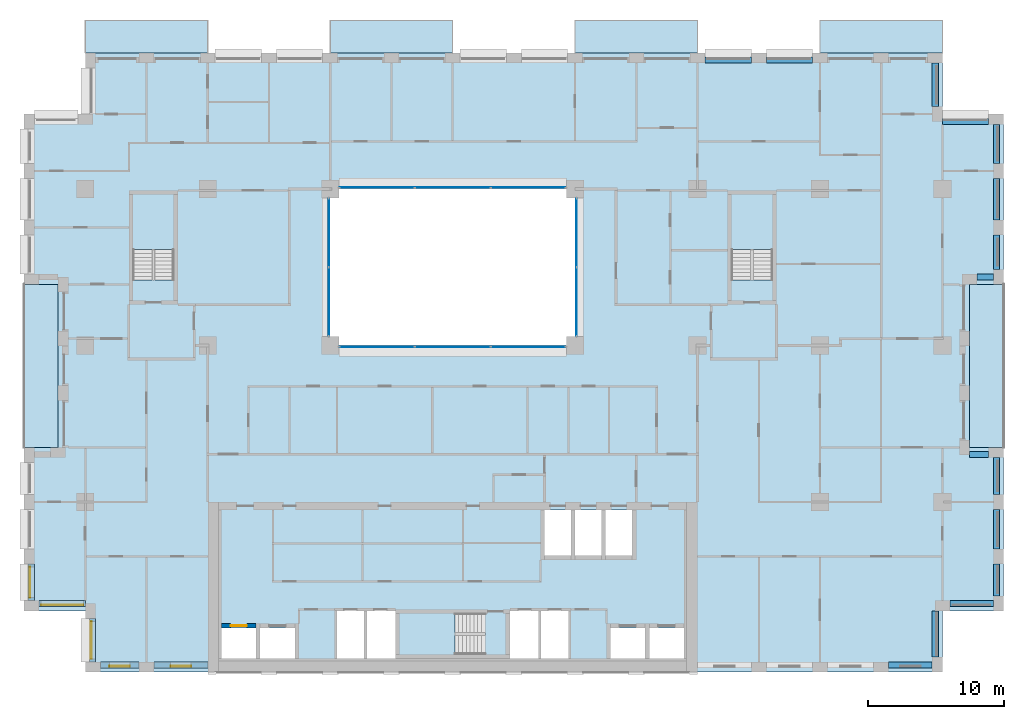
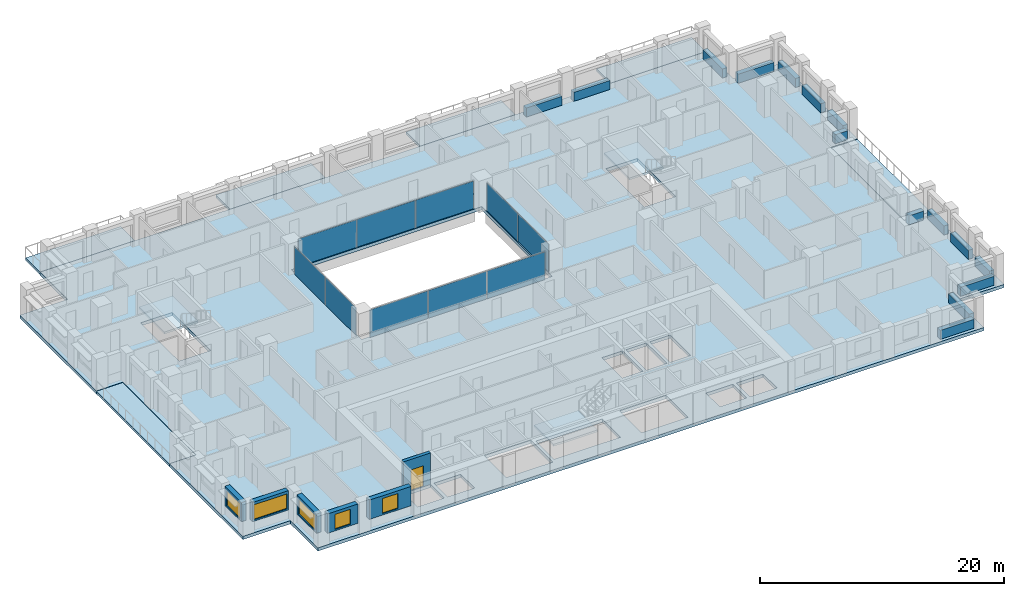
# One storey, part 7 of 16: 15 beams, 10 plates, 10 slabs, 6 walls, 5 windows, 1 door, 6 openings, 7 elements without a shape of their own.
"""IFC4 building model written with IfcOpenShell, lengths in metres."""

from ifc_helpers import new_model, si_unit, direction, frame, frame_2d, origin, origin_2d, place, context, subcontext, project, spatial, polyline, rectangle, outline, extrude, material, layer, layer_set, material_profile, profile_set, type_object, element, fill, aggregate, save


model = new_model("IFC4")

# Units and contexts
model_context = context("Model", 3, precision=1e-05, world=origin(), true_north=direction((0.0, 1.0)))
body_context = subcontext(model_context, "Body", "Model", "MODEL_VIEW")
ifc_project = project(units=[si_unit("LENGTHUNIT", "METRE"), si_unit("AREAUNIT", "SQUARE_METRE"), si_unit("VOLUMEUNIT", "CUBIC_METRE"), si_unit("PLANEANGLEUNIT", "RADIAN"), si_unit("MASSUNIT", "GRAM", prefix="KILO")], contexts=[model_context])

# Site, building, storey
site_placement = place(None, origin())
site = spatial("IfcSite", under=ifc_project, at=site_placement, CompositionType="ELEMENT")
building_placement = place(site_placement, origin())
building = spatial("IfcBuilding", under=site, at=building_placement, Name="Brigalow Station Residences", CompositionType="ELEMENT")
storey_placement = place(building_placement, frame((0.0, 0.0, 124.5)))
storey = spatial("IfcBuildingStorey", under=building, at=storey_placement, Name="L36", CompositionType="ELEMENT", Elevation=124.5)

# Beams
ifc_material_1 = material(Name="Concrete C65", Category="concrete")
ifc_material_profile = material_profile(ifc_material_1, rectangle(XDim=0.449951171875, YDim=0.89990234375, at=origin_2d()), Name="RC450x900")
ifc_profile_set = profile_set([ifc_material_profile], Name="Concrete C65")
beam_type = type_object("IfcBeamType", Name="SPANDREL BEAM 450x900 C65", PredefinedType="SPANDREL", material=ifc_profile_set)
beam_1_placement = place(storey_placement, frame((68.050048828125, 0.52490234375, 0.449951171875), z_axis=(1.0, 0.0, 0.0), x_axis=(0.0, 1.0, 0.0)))
element("IfcBeam", 1, at=beam_1_placement, inside=storey, type_object=beam_type, Name="L36/spandrel/W-L36-7", PredefinedType="SPANDREL", context=body_context, shape_type="SweptSolid", body=[
    extrude(rectangle(XDim=0.449951171875, YDim=0.89990234375, at=origin_2d()), origin(), (0.0, 0.0, 1.0), 3.199951171875),
])
beam_2_placement = place(storey_placement, frame((71.47509765625, 1.10009765625, 0.449951171875), z_axis=(0.0, 1.0, 0.0), x_axis=(-1.0, 0.0, 0.0)))
element("IfcBeam", 2, at=beam_2_placement, inside=storey, type_object=beam_type, Name="L36/spandrel/W-L36-8", PredefinedType="SPANDREL", context=body_context, shape_type="SweptSolid", body=[
    extrude(rectangle(XDim=0.449951171875, YDim=0.89990234375, at=origin_2d()), origin(), (0.0, 0.0, 1.0), 3.39990234375),
])
beam_3_placement = place(storey_placement, frame((72.550048828125, 5.02490234375, 0.449951171875), z_axis=(1.0, 0.0, 0.0), x_axis=(0.0, 1.0, 0.0)))
element("IfcBeam", 3, at=beam_3_placement, inside=storey, type_object=beam_type, Name="L36/spandrel/W-L36-9", PredefinedType="SPANDREL", context=body_context, shape_type="SweptSolid", body=[
    extrude(rectangle(XDim=0.449951171875, YDim=0.89990234375, at=origin_2d()), origin(), (0.0, 0.0, 1.0), 3.199951171875),
])
beam_4_placement = place(storey_placement, frame((75.97509765625, 5.60009765625, 0.449951171875), z_axis=(0.0, 1.0, 0.0), x_axis=(-1.0, 0.0, 0.0)))
element("IfcBeam", 4, at=beam_4_placement, inside=storey, type_object=beam_type, Name="L36/spandrel/W-L36-10", PredefinedType="SPANDREL", context=body_context, shape_type="SweptSolid", body=[
    extrude(rectangle(XDim=0.449951171875, YDim=0.89990234375, at=origin_2d()), origin(), (0.0, 0.0, 1.0), 2.349853515625),
])
beam_5_placement = place(storey_placement, frame((75.97509765625, 9.050048828125, 0.449951171875), z_axis=(0.0, 1.0, 0.0), x_axis=(-1.0, 0.0, 0.0)))
element("IfcBeam", 5, at=beam_5_placement, inside=storey, type_object=beam_type, Name="L36/spandrel/W-L36-11", PredefinedType="SPANDREL", context=body_context, shape_type="SweptSolid", body=[
    extrude(rectangle(XDim=0.449951171875, YDim=0.89990234375, at=origin_2d()), origin(), (0.0, 0.0, 1.0), 2.89990234375),
])
beam_6_placement = place(storey_placement, frame((75.97509765625, 13.050048828125, 0.449951171875), z_axis=(0.0, 1.0, 0.0), x_axis=(-1.0, 0.0, 0.0)))
element("IfcBeam", 6, at=beam_6_placement, inside=storey, type_object=beam_type, Name="L36/spandrel/W-L36-12", PredefinedType="SPANDREL", context=body_context, shape_type="SweptSolid", body=[
    extrude(rectangle(XDim=0.449951171875, YDim=0.89990234375, at=origin_2d()), origin(), (0.0, 0.0, 1.0), 2.699951171875),
])
beam_7_placement = place(storey_placement, frame((75.39990234375, 15.97509765625, 0.449951171875), z_axis=(-1.0, 0.0, 0.0), x_axis=(0.0, -1.0, 0.0)))
element("IfcBeam", 7, at=beam_7_placement, inside=storey, type_object=beam_type, Name="L36/spandrel/W-L36-13", PredefinedType="SPANDREL", context=body_context, shape_type="SweptSolid", body=[
    extrude(rectangle(XDim=0.449951171875, YDim=0.89990234375, at=origin_2d()), origin(), (0.0, 0.0, 1.0), 1.39990234375),
])
beam_8_placement = place(storey_placement, frame((74.550048828125, 29.02490234375, 0.449951171875), z_axis=(1.0, 0.0, 0.0), x_axis=(0.0, 1.0, 0.0)))
element("IfcBeam", 8, at=beam_8_placement, inside=storey, type_object=beam_type, Name="L36/spandrel/W-L36-17", PredefinedType="SPANDREL", context=body_context, shape_type="SweptSolid", body=[
    extrude(rectangle(XDim=0.449951171875, YDim=0.89990234375, at=origin_2d()), origin(), (0.0, 0.0, 1.0), 1.199951171875),
])
beam_9_placement = place(storey_placement, frame((75.97509765625, 29.60009765625, 0.449951171875), z_axis=(0.0, 1.0, 0.0), x_axis=(-1.0, 0.0, 0.0)))
element("IfcBeam", 9, at=beam_9_placement, inside=storey, type_object=beam_type, Name="L36/spandrel/W-L36-18", PredefinedType="SPANDREL", context=body_context, shape_type="SweptSolid", body=[
    extrude(rectangle(XDim=0.449951171875, YDim=0.89990234375, at=origin_2d()), origin(), (0.0, 0.0, 1.0), 2.516845703125),
])
beam_10_placement = place(storey_placement, frame((75.97509765625, 33.217041015625, 0.449951171875), z_axis=(0.0, 1.0, 0.0), x_axis=(-1.0, 0.0, 0.0)))
element("IfcBeam", 10, at=beam_10_placement, inside=storey, type_object=beam_type, Name="L36/spandrel/W-L36-19", PredefinedType="SPANDREL", context=body_context, shape_type="SweptSolid", body=[
    extrude(rectangle(XDim=0.449951171875, YDim=0.89990234375, at=origin_2d()), origin(), (0.0, 0.0, 1.0), 3.06591796875),
])
beam_11_placement = place(storey_placement, frame((75.97509765625, 37.383056640625, 0.449951171875), z_axis=(0.0, 1.0, 0.0), x_axis=(-1.0, 0.0, 0.0)))
element("IfcBeam", 11, at=beam_11_placement, inside=storey, type_object=beam_type, Name="L36/spandrel/W-L36-20", PredefinedType="SPANDREL", context=body_context, shape_type="SweptSolid", body=[
    extrude(rectangle(XDim=0.449951171875, YDim=0.89990234375, at=origin_2d()), origin(), (0.0, 0.0, 1.0), 2.866943359375),
])
beam_12_placement = place(storey_placement, frame((75.39990234375, 40.47509765625, 0.449951171875), z_axis=(-1.0, 0.0, 0.0), x_axis=(0.0, -1.0, 0.0)))
element("IfcBeam", 12, at=beam_12_placement, inside=storey, type_object=beam_type, Name="L36/spandrel/W-L36-21", PredefinedType="SPANDREL", context=body_context, shape_type="SweptSolid", body=[
    extrude(rectangle(XDim=0.449951171875, YDim=0.89990234375, at=origin_2d()), origin(), (0.0, 0.0, 1.0), 3.39990234375),
])
beam_13_placement = place(storey_placement, frame((71.47509765625, 41.550048828125, 0.449951171875), z_axis=(0.0, 1.0, 0.0), x_axis=(-1.0, 0.0, 0.0)))
element("IfcBeam", 13, at=beam_13_placement, inside=storey, type_object=beam_type, Name="L36/spandrel/W-L36-22", PredefinedType="SPANDREL", context=body_context, shape_type="SweptSolid", body=[
    extrude(rectangle(XDim=0.449951171875, YDim=0.89990234375, at=origin_2d()), origin(), (0.0, 0.0, 1.0), 3.199951171875),
])
for number, where, z_axis, x_axis, name in (
    (14, (62.449951171875, 44.97509765625, 0.449951171875), (-1.0, 0.0, 0.0), (0.0, -1.0, 0.0), "L36/spandrel/W-L36-25"),
    (15, (57.949951171875, 44.97509765625, 0.449951171875), (-1.0, 0.0, 0.0), (0.0, -1.0, 0.0), "L36/spandrel/W-L36-26"),
):
    element("IfcBeam", number, at=place(storey_placement, frame(where, z_axis=z_axis, x_axis=x_axis)), inside=storey, type_object=beam_type, Name=name, PredefinedType="SPANDREL", context=body_context, shape_type="SweptSolid", body=[
        extrude(rectangle(XDim=0.449951171875, YDim=0.89990234375, at=origin_2d()), origin(), (0.0, 0.0, 1.0), 3.39990234375),
    ])

# Curtain wall, plates
ifc_material_2 = material(Name="Aluminium", Category="aluminium")
ifc_layer_1 = layer(ifc_material_2, 0.14990234375)
ifc_layer_set_1 = layer_set([ifc_layer_1], Name="ATRIUM FIRE-RATED GLAZING CURTAIN WALL")
curtain_wall_type = type_object("IfcCurtainWallType", Name="ATRIUM FIRE-RATED GLAZING CURTAIN WALL", PredefinedType="NOTDEFINED", material=ifc_layer_set_1)
curtain_wall_1_placement = place(storey_placement, origin())
curtain_wall_1 = element("IfcCurtainWall", 16, at=curtain_wall_1_placement, inside=storey, type_object=curtain_wall_type, Name="L36/cw/atrium-S", PredefinedType="NOTDEFINED")
ifc_material_3 = material(Name="Fire-resisting laminated glazing, FRL -/60/-", Category="glass")
ifc_layer_2 = layer(ifc_material_3, 0.031982421875)
ifc_layer_set_2 = layer_set([ifc_layer_2], Name="ATRIUM FIRE-RATED GLAZING PANEL 32")
plate_type = type_object("IfcPlateType", Name="ATRIUM FIRE-RATED GLAZING PANEL 32", PredefinedType="CURTAIN_PANEL", material=ifc_layer_set_2)
plate_1_placement = place(storey_placement, frame((30.4482421875, 23.89990234375, 0.0), z_axis=(0.0, 0.0, 1.0), x_axis=(1.0, 0.0, 0.0)))
plate_1 = element("IfcPlate", 17, at=plate_1_placement, type_object=plate_type, Name="L36/cw/atrium-S/P00-00", PredefinedType="CURTAIN_PANEL", context=body_context, shape_type="SweptSolid", body=[
    extrude(rectangle(XDim=5.476806640625, YDim=0.031982421875, at=origin_2d()), origin(), (0.0, 0.0, 1.0), 2.77001953125),
])
plate_2_placement = place(storey_placement, frame((36.0, 23.89990234375, 0.0), z_axis=(0.0, 0.0, 1.0), x_axis=(1.0, 0.0, 0.0)))
plate_2 = element("IfcPlate", 18, at=plate_2_placement, type_object=plate_type, Name="L36/cw/atrium-S/P01-00", PredefinedType="CURTAIN_PANEL", context=body_context, shape_type="SweptSolid", body=[
    extrude(rectangle(XDim=5.506591796875, YDim=0.031982421875, at=origin_2d()), origin(), (0.0, 0.0, 1.0), 2.77001953125),
])
plate_3_placement = place(storey_placement, frame((41.5517578125, 23.89990234375, 0.0), z_axis=(0.0, 0.0, 1.0), x_axis=(1.0, 0.0, 0.0)))
plate_3 = element("IfcPlate", 19, at=plate_3_placement, type_object=plate_type, Name="L36/cw/atrium-S/P02-00", PredefinedType="CURTAIN_PANEL", context=body_context, shape_type="SweptSolid", body=[
    extrude(rectangle(XDim=5.476806640625, YDim=0.031982421875, at=origin_2d()), origin(), (0.0, 0.0, 1.0), 2.77001953125),
])
aggregate(curtain_wall_1, [plate_1, plate_2, plate_3])

curtain_wall_2_placement = place(storey_placement, origin())
curtain_wall_2 = element("IfcCurtainWall", 20, at=curtain_wall_2_placement, inside=storey, type_object=curtain_wall_type, Name="L36/cw/atrium-E", PredefinedType="NOTDEFINED")
plate_4_placement = place(storey_placement, frame((45.10009765625, 27.215087890625, 0.0), z_axis=(0.0, 0.0, 1.0), x_axis=(0.0, 1.0, 0.0)))
plate_4 = element("IfcPlate", 21, at=plate_4_placement, type_object=plate_type, Name="L36/cw/atrium-E/P00-00", PredefinedType="CURTAIN_PANEL", context=body_context, shape_type="SweptSolid", body=[
    extrude(rectangle(XDim=5.010009765625, YDim=0.031982421875, at=origin_2d()), origin(), (0.0, 0.0, 1.0), 2.77001953125),
])
plate_5_placement = place(storey_placement, frame((45.10009765625, 32.284912109375, 0.0), z_axis=(0.0, 0.0, 1.0), x_axis=(0.0, 1.0, 0.0)))
plate_5 = element("IfcPlate", 22, at=plate_5_placement, type_object=plate_type, Name="L36/cw/atrium-E/P01-00", PredefinedType="CURTAIN_PANEL", context=body_context, shape_type="SweptSolid", body=[
    extrude(rectangle(XDim=5.010009765625, YDim=0.031982421875, at=origin_2d()), origin(), (0.0, 0.0, 1.0), 2.77001953125),
])
aggregate(curtain_wall_2, [plate_4, plate_5])

curtain_wall_3_placement = place(storey_placement, origin())
curtain_wall_3 = element("IfcCurtainWall", 23, at=curtain_wall_3_placement, inside=storey, type_object=curtain_wall_type, Name="L36/cw/atrium-N", PredefinedType="NOTDEFINED")
plate_6_placement = place(storey_placement, frame((41.5517578125, 35.60009765625, 0.0), z_axis=(0.0, 0.0, 1.0), x_axis=(-1.0, 0.0, 0.0)))
plate_6 = element("IfcPlate", 24, at=plate_6_placement, type_object=plate_type, Name="L36/cw/atrium-N/P00-00", PredefinedType="CURTAIN_PANEL", context=body_context, shape_type="SweptSolid", body=[
    extrude(rectangle(XDim=5.476806640625, YDim=0.031982421875, at=origin_2d()), origin(), (0.0, 0.0, 1.0), 2.77001953125),
])
plate_7_placement = place(storey_placement, frame((36.0, 35.60009765625, 0.0), z_axis=(0.0, 0.0, 1.0), x_axis=(-1.0, 0.0, 0.0)))
plate_7 = element("IfcPlate", 25, at=plate_7_placement, type_object=plate_type, Name="L36/cw/atrium-N/P01-00", PredefinedType="CURTAIN_PANEL", context=body_context, shape_type="SweptSolid", body=[
    extrude(rectangle(XDim=5.506591796875, YDim=0.031982421875, at=origin_2d()), origin(), (0.0, 0.0, 1.0), 2.77001953125),
])
plate_8_placement = place(storey_placement, frame((30.4482421875, 35.60009765625, 0.0), z_axis=(0.0, 0.0, 1.0), x_axis=(-1.0, 0.0, 0.0)))
plate_8 = element("IfcPlate", 26, at=plate_8_placement, type_object=plate_type, Name="L36/cw/atrium-N/P02-00", PredefinedType="CURTAIN_PANEL", context=body_context, shape_type="SweptSolid", body=[
    extrude(rectangle(XDim=5.476806640625, YDim=0.031982421875, at=origin_2d()), origin(), (0.0, 0.0, 1.0), 2.77001953125),
])
aggregate(curtain_wall_3, [plate_6, plate_7, plate_8])

curtain_wall_4_placement = place(storey_placement, origin())
curtain_wall_4 = element("IfcCurtainWall", 27, at=curtain_wall_4_placement, inside=storey, type_object=curtain_wall_type, Name="L36/cw/atrium-W", PredefinedType="NOTDEFINED")
plate_9_placement = place(storey_placement, frame((26.89990234375, 32.284912109375, 0.0), z_axis=(0.0, 0.0, 1.0), x_axis=(0.0, -1.0, 0.0)))
plate_9 = element("IfcPlate", 28, at=plate_9_placement, type_object=plate_type, Name="L36/cw/atrium-W/P00-00", PredefinedType="CURTAIN_PANEL", context=body_context, shape_type="SweptSolid", body=[
    extrude(rectangle(XDim=5.010009765625, YDim=0.031982421875, at=origin_2d()), origin(), (0.0, 0.0, 1.0), 2.77001953125),
])
plate_10_placement = place(storey_placement, frame((26.89990234375, 27.215087890625, 0.0), z_axis=(0.0, 0.0, 1.0), x_axis=(0.0, -1.0, 0.0)))
plate_10 = element("IfcPlate", 29, at=plate_10_placement, type_object=plate_type, Name="L36/cw/atrium-W/P01-00", PredefinedType="CURTAIN_PANEL", context=body_context, shape_type="SweptSolid", body=[
    extrude(rectangle(XDim=5.010009765625, YDim=0.031982421875, at=origin_2d()), origin(), (0.0, 0.0, 1.0), 2.77001953125),
])
aggregate(curtain_wall_4, [plate_9, plate_10])

# Slabs
ifc_material_4 = material(Name="Concrete C50 precast", Category="concrete")
ifc_layer_3 = layer(ifc_material_4, 0.25)
ifc_layer_set_3 = layer_set([ifc_layer_3], Name="BALCONY SLAB 250")
slab_type_1 = type_object("IfcSlabType", Name="BALCONY SLAB 250", PredefinedType="USERDEFINED", material=ifc_layer_set_3)
slab_1_placement = place(storey_placement, frame((0.0, 0.0, -0.2900390625)))
element("IfcSlab", 30, at=slab_1_placement, inside=storey, type_object=slab_type_1, Name="L36/balcony/1", ObjectType="BALCONY", PredefinedType="USERDEFINED", context=body_context, shape_type="SweptSolid", body=[
    extrude(outline(polyline([(74.0, 16.5), (76.5, 16.5), (76.5, 28.5), (74.0, 28.5), (74.0, 16.5)])), origin(), (0.0, 0.0, 1.0), 0.25),
])
slab_2_placement = place(storey_placement, frame((0.0, 0.0, -0.2900390625)))
element("IfcSlab", 31, at=slab_2_placement, inside=storey, type_object=slab_type_1, Name="L36/balcony/2", ObjectType="BALCONY", PredefinedType="USERDEFINED", context=body_context, shape_type="SweptSolid", body=[
    extrude(outline(polyline([(72.0, 45.5), (72.0, 47.89990234375), (63.0, 47.89990234375), (63.0, 45.5), (72.0, 45.5)])), origin(), (0.0, 0.0, 1.0), 0.25),
])
slab_3_placement = place(storey_placement, frame((0.0, 0.0, -0.2900390625)))
element("IfcSlab", 32, at=slab_3_placement, inside=storey, type_object=slab_type_1, Name="L36/balcony/3", ObjectType="BALCONY", PredefinedType="USERDEFINED", context=body_context, shape_type="SweptSolid", body=[
    extrude(outline(polyline([(54.0, 45.5), (54.0, 47.89990234375), (45.0, 47.89990234375), (45.0, 45.5), (54.0, 45.5)])), origin(), (0.0, 0.0, 1.0), 0.25),
])
slab_4_placement = place(storey_placement, frame((0.0, 0.0, -0.2900390625)))
element("IfcSlab", 33, at=slab_4_placement, inside=storey, type_object=slab_type_1, Name="L36/balcony/4", ObjectType="BALCONY", PredefinedType="USERDEFINED", context=body_context, shape_type="SweptSolid", body=[
    extrude(outline(polyline([(36.0, 45.5), (36.0, 47.89990234375), (27.0, 47.89990234375), (27.0, 45.5), (36.0, 45.5)])), origin(), (0.0, 0.0, 1.0), 0.25),
])
slab_5_placement = place(storey_placement, frame((0.0, 0.0, -0.2900390625)))
element("IfcSlab", 34, at=slab_5_placement, inside=storey, type_object=slab_type_1, Name="L36/balcony/5", ObjectType="BALCONY", PredefinedType="USERDEFINED", context=body_context, shape_type="SweptSolid", body=[
    extrude(outline(polyline([(18.0, 45.5), (18.0, 47.89990234375), (9.0, 47.89990234375), (9.0, 45.5), (18.0, 45.5)])), origin(), (0.0, 0.0, 1.0), 0.25),
])
slab_6_placement = place(storey_placement, frame((0.0, 0.0, -0.2900390625)))
element("IfcSlab", 35, at=slab_6_placement, inside=storey, type_object=slab_type_1, Name="L36/balcony/6", ObjectType="BALCONY", PredefinedType="USERDEFINED", context=body_context, shape_type="SweptSolid", body=[
    extrude(outline(polyline([(7.0, 28.5), (4.5, 28.5), (4.5, 16.5), (7.0, 16.5), (7.0, 28.5)])), origin(), (0.0, 0.0, 1.0), 0.25),
])
ifc_material_5 = material(Name="Concrete C50", Category="concrete")
ifc_layer_4 = layer(ifc_material_5, 0.320068359375)
ifc_layer_set_4 = layer_set([ifc_layer_4], Name="POST-TENSIONED FLAT PLATE 320 C50")
slab_type_2 = type_object("IfcSlabType", Name="POST-TENSIONED FLAT PLATE 320 C50", PredefinedType="FLOOR", material=ifc_layer_set_4)
slab_7_placement = place(storey_placement, frame((0.0, 0.0, -0.320068359375)))
element("IfcSlab", 36, at=slab_7_placement, inside=storey, type_object=slab_type_2, Name="FLOOR SLAB L36", PredefinedType="FLOOR", context=body_context, shape_type="SweptSolid", body=[
    extrude(outline(polyline([(9.0, 0.0), (72.0, 0.0), (72.0, 4.5), (76.5, 4.5), (76.5, 16.5), (74.0, 16.5), (74.0, 28.5), (76.5, 28.5), (76.5, 41.0), (72.0, 41.0), (72.0, 45.5), (9.0, 45.5), (9.0, 41.0), (4.5, 41.0), (4.5, 28.5), (7.0, 28.5), (7.0, 16.5), (4.5, 16.5), (4.5, 4.5), (9.0, 4.5), (9.0, 0.0)]), holes=[polyline([(12.5048828125, 35.094970703125), (15.4951171875, 35.094970703125), (15.4951171875, 28.804931640625), (12.5048828125, 28.804931640625), (12.5048828125, 35.094970703125)]), polyline([(19.0, 1.0), (19.0, 3.25), (21.550048828125, 3.25), (21.550048828125, 1.0), (19.0, 1.0)]), polyline([(21.85009765625, 3.25), (24.39990234375, 3.25), (24.39990234375, 1.0), (21.85009765625, 1.0), (21.85009765625, 3.25)]), polyline([(27.0, 35.5), (45.0, 35.5), (45.0, 24.0), (27.0, 24.0), (27.0, 35.5)]), polyline([(29.60009765625, 4.60009765625), (31.800048828125, 4.60009765625), (31.800048828125, 1.0), (29.60009765625, 1.0), (27.39990234375, 1.0), (27.39990234375, 4.60009765625), (29.60009765625, 4.60009765625)]), polyline([(32.10498046875, 4.294921875), (38.39501953125, 4.294921875), (38.39501953125, 1.304931640625), (32.10498046875, 1.304931640625), (32.10498046875, 4.294921875)]), polyline([(40.199951171875, 4.60009765625), (42.39990234375, 4.60009765625), (44.60009765625, 4.60009765625), (44.60009765625, 1.0), (42.39990234375, 1.0), (40.199951171875, 1.0), (40.199951171875, 4.60009765625)]), polyline([(42.75, 11.89990234375), (44.699951171875, 11.89990234375), (44.699951171875, 8.550048828125), (42.75, 8.550048828125), (42.75, 11.89990234375)]), polyline([(45.0, 11.89990234375), (46.949951171875, 11.89990234375), (46.949951171875, 8.550048828125), (45.0, 8.550048828125), (45.0, 11.89990234375)]), polyline([(47.25, 11.89990234375), (49.199951171875, 11.89990234375), (49.199951171875, 8.550048828125), (47.25, 8.550048828125), (47.25, 11.89990234375)]), polyline([(47.60009765625, 3.25), (50.14990234375, 3.25), (50.14990234375, 1.0), (47.60009765625, 1.0), (47.60009765625, 3.25)]), polyline([(50.449951171875, 3.25), (53.0, 3.25), (53.0, 1.0), (50.449951171875, 1.0), (50.449951171875, 3.25)]), polyline([(56.5048828125, 35.094970703125), (59.4951171875, 35.094970703125), (59.4951171875, 28.804931640625), (56.5048828125, 28.804931640625), (56.5048828125, 35.094970703125)])]), origin(), (0.0, 0.0, 1.0), 0.320068359375),
])

# Stair, slab
ifc_material_6 = material(Name="Concrete C50", Category="concrete")
stair_type = type_object("IfcStairType", Name="EXIT STAIR 1400 2 FLIGHT", PredefinedType="HALF_TURN_STAIR", material=ifc_material_6)
stair_1_placement = place(storey_placement, origin())
stair_1 = element("IfcStair", 37, at=stair_1_placement, inside=storey, type_object=stair_type, Name="EXIT STAIR S2 L36", PredefinedType="HALF_TURN_STAIR")
ifc_material_7 = material(Name="Concrete C50", Category="concrete")
ifc_layer_5 = layer(ifc_material_7, 0.199951171875)
ifc_layer_set_5 = layer_set([ifc_layer_5], Name="STAIR LANDING 200")
slab_type_3 = type_object("IfcSlabType", Name="STAIR LANDING 200", PredefinedType="LANDING", material=ifc_layer_set_5)
slab_8_placement = place(storey_placement, frame((0.0, 0.0, 1.375)))
slab_8 = element("IfcSlab", 38, at=slab_8_placement, type_object=slab_type_3, Name="ST-2 landing 1", PredefinedType="LANDING", context=body_context, shape_type="SweptSolid", body=[
    extrude(outline(polyline([(32.0, 1.199951171875), (36.159912109375, 1.199951171875), (36.159912109375, 4.39990234375), (32.0, 4.39990234375), (32.0, 1.199951171875)])), origin(), (0.0, 0.0, 1.0), 0.199951171875),
])
aggregate(stair_1, [slab_8])

stair_2_placement = place(storey_placement, origin())
stair_2 = element("IfcStair", 39, at=stair_2_placement, inside=storey, type_object=stair_type, Name="EXIT STAIR S1 L36", PredefinedType="HALF_TURN_STAIR")
slab_9_placement = place(storey_placement, frame((0.0, 0.0, 1.375)))
slab_9 = element("IfcSlab", 40, at=slab_9_placement, type_object=slab_type_3, Name="ST-1 landing 1", PredefinedType="LANDING", context=body_context, shape_type="SweptSolid", body=[
    extrude(outline(polyline([(12.39990234375, 31.0400390625), (15.60009765625, 31.0400390625), (15.60009765625, 35.199951171875), (12.39990234375, 35.199951171875), (12.39990234375, 31.0400390625)])), origin(), (0.0, 0.0, 1.0), 0.199951171875),
])
aggregate(stair_2, [slab_9])

stair_3_placement = place(storey_placement, origin())
stair_3 = element("IfcStair", 41, at=stair_3_placement, inside=storey, type_object=stair_type, Name="EXIT STAIR S3 L36", PredefinedType="HALF_TURN_STAIR")
slab_10_placement = place(storey_placement, frame((0.0, 0.0, 1.375)))
slab_10 = element("IfcSlab", 42, at=slab_10_placement, type_object=slab_type_3, Name="ST-3 landing 1", PredefinedType="LANDING", context=body_context, shape_type="SweptSolid", body=[
    extrude(outline(polyline([(56.39990234375, 31.0400390625), (59.60009765625, 31.0400390625), (59.60009765625, 35.199951171875), (56.39990234375, 35.199951171875), (56.39990234375, 31.0400390625)])), origin(), (0.0, 0.0, 1.0), 0.199951171875),
])
aggregate(stair_3, [slab_10])

# Wall, opening, window
ifc_material_8 = material(Name="Clay brick masonry", Category="masonry")
ifc_layer_6 = layer(ifc_material_8, 0.449951171875)
ifc_layer_set_6 = layer_set([ifc_layer_6], Name="BRICK INFILL WALL 450")
wall_type_1 = type_object("IfcWallType", Name="BRICK INFILL WALL 450", PredefinedType="SOLIDWALL", material=ifc_layer_set_6)
wall_1_placement = place(storey_placement, frame((10.10009765625, 0.52490234375, 0.89990234375), z_axis=(0.0, 0.0, 1.0), x_axis=(1.0, 0.0, 0.0)))
wall_1 = element("IfcWall", 43, at=wall_1_placement, inside=storey, type_object=wall_type_1, Name="L36/ewall/W-L36-1", PredefinedType="SOLIDWALL", context=body_context, shape_type="SweptSolid", body=[
    extrude(rectangle(XDim=2.849853515625, YDim=0.449951171875, at=frame_2d((1.4248046875, 0.0))), origin(), (0.0, 0.0, 1.0), 1.93017578125),
])
opening_1_placement = place(wall_1_placement, frame((0.675048828125, 0.0, 0.14990234375)))
opening_1 = element("IfcOpeningElement", 44, at=opening_1_placement, cuts=wall_1, Name="Opening WT-1", PredefinedType="OPENING", context=body_context, shape_type="SweptSolid", body=[
    extrude(rectangle(XDim=1.5, YDim=1.5, at=frame_2d((0.75, 0.75))), frame((0.0, 0.23486328125, 0.0), z_axis=(0.0, -1.0, 0.0), x_axis=(1.0, 0.0, 0.0)), (0.0, 0.0, 1.0), 0.469970703125),
])
ifc_material_9 = material(Name="Anodised aluminium frame with double glazing", Category="aluminium")
window_type_1 = type_object("IfcWindowType", Name="WINDOW 1500x1500", PartitioningType="SINGLE_PANEL", PredefinedType="WINDOW", material=ifc_material_9)
window_1_placement = place(opening_1_placement, origin())
window_1 = element("IfcWindow", 45, at=window_1_placement, inside=storey, type_object=window_type_1, Name="L36/window/W-L36-1", OverallHeight=1.5, OverallWidth=1.5, PartitioningType="SINGLE_PANEL", PredefinedType="WINDOW", context=body_context, shape_type="SweptSolid", body=[
    extrude(rectangle(XDim=1.5, YDim=1.5, at=frame_2d((0.75, 0.75))), frame((0.0, -0.06494140625, 0.0), z_axis=(0.0, -1.0, 0.0), x_axis=(1.0, 0.0, 0.0)), (0.0, 0.0, 1.0), 0.06005859375),
])
fill(opening_1, window_1)

wall_2_placement = place(storey_placement, frame((14.050048828125, 0.52490234375, 0.89990234375), z_axis=(0.0, 0.0, 1.0), x_axis=(1.0, 0.0, 0.0)))
wall_2 = element("IfcWall", 46, at=wall_2_placement, inside=storey, type_object=wall_type_1, Name="L36/ewall/W-L36-2", PredefinedType="SOLIDWALL", context=body_context, shape_type="SweptSolid", body=[
    extrude(rectangle(XDim=3.949951171875, YDim=0.449951171875, at=frame_2d((1.97509765625, 0.0))), origin(), (0.0, 0.0, 1.0), 1.93017578125),
])
opening_2_placement = place(wall_2_placement, frame((1.22509765625, 0.0, 0.14990234375)))
opening_2 = element("IfcOpeningElement", 47, at=opening_2_placement, cuts=wall_2, Name="Opening WT-1", PredefinedType="OPENING", context=body_context, shape_type="SweptSolid", body=[
    extrude(rectangle(XDim=1.5, YDim=1.5, at=frame_2d((0.75, 0.75))), frame((0.0, 0.23486328125, 0.0), z_axis=(0.0, -1.0, 0.0), x_axis=(1.0, 0.0, 0.0)), (0.0, 0.0, 1.0), 0.469970703125),
])
window_2_placement = place(opening_2_placement, origin())
window_2 = element("IfcWindow", 48, at=window_2_placement, inside=storey, type_object=window_type_1, Name="L36/window/W-L36-2", OverallHeight=1.5, OverallWidth=1.5, PartitioningType="SINGLE_PANEL", PredefinedType="WINDOW", context=body_context, shape_type="SweptSolid", body=[
    extrude(rectangle(XDim=1.5, YDim=1.5, at=frame_2d((0.75, 0.75))), frame((0.0, -0.06494140625, 0.0), z_axis=(0.0, -1.0, 0.0), x_axis=(1.0, 0.0, 0.0)), (0.0, 0.0, 1.0), 0.06005859375),
])
fill(opening_2, window_2)

wall_3_placement = place(storey_placement, frame((5.02490234375, 7.949951171875, 0.89990234375), z_axis=(0.0, 0.0, 1.0), x_axis=(0.0, -1.0, 0.0)))
wall_3 = element("IfcWall", 49, at=wall_3_placement, inside=storey, type_object=wall_type_1, Name="L36/ewall/W-L36-49", PredefinedType="SOLIDWALL", context=body_context, shape_type="SweptSolid", body=[
    extrude(rectangle(XDim=2.699951171875, YDim=0.449951171875, at=frame_2d((1.35009765625, 0.0))), origin(), (0.0, 0.0, 1.0), 1.93017578125),
])
opening_3_placement = place(wall_3_placement, frame((0.22509765625, 0.0, 0.14990234375)))
opening_3 = element("IfcOpeningElement", 50, at=opening_3_placement, cuts=wall_3, Name="Opening WT-6", PredefinedType="OPENING", context=body_context, shape_type="SweptSolid", body=[
    extrude(rectangle(XDim=2.25, YDim=1.5, at=frame_2d((1.125, 0.75))), frame((0.0, 0.23486328125, 0.0), z_axis=(0.0, -1.0, 0.0), x_axis=(1.0, 0.0, 0.0)), (0.0, 0.0, 1.0), 0.469970703125),
])
ifc_material_10 = material(Name="Anodised aluminium frame with double glazing", Category="aluminium")
window_type_2 = type_object("IfcWindowType", Name="WINDOW 2250x1500", PartitioningType="SINGLE_PANEL", PredefinedType="WINDOW", material=ifc_material_10)
window_3_placement = place(opening_3_placement, origin())
window_3 = element("IfcWindow", 51, at=window_3_placement, inside=storey, type_object=window_type_2, Name="L36/window/W-L36-49", OverallHeight=1.5, OverallWidth=2.25, PartitioningType="SINGLE_PANEL", PredefinedType="WINDOW", context=body_context, shape_type="SweptSolid", body=[
    extrude(rectangle(XDim=2.25, YDim=1.5, at=frame_2d((1.125, 0.75))), frame((0.0, -0.06494140625, 0.0), z_axis=(0.0, -1.0, 0.0), x_axis=(1.0, 0.0, 0.0)), (0.0, 0.0, 1.0), 0.06005859375),
])
fill(opening_3, window_3)

wall_4_placement = place(storey_placement, frame((5.60009765625, 5.02490234375, 0.89990234375), z_axis=(0.0, 0.0, 1.0), x_axis=(1.0, 0.0, 0.0)))
wall_4 = element("IfcWall", 52, at=wall_4_placement, inside=storey, type_object=wall_type_1, Name="L36/ewall/W-L36-50", PredefinedType="SOLIDWALL", context=body_context, shape_type="SweptSolid", body=[
    extrude(rectangle(XDim=3.39990234375, YDim=0.449951171875, at=frame_2d((1.699951171875, 0.0))), origin(), (0.0, 0.0, 1.0), 1.93017578125),
])
opening_4_placement = place(wall_4_placement, frame((0.14990234375, 0.0, 0.14990234375)))
opening_4 = element("IfcOpeningElement", 53, at=opening_4_placement, cuts=wall_4, Name="Opening WT-8", PredefinedType="OPENING", context=body_context, shape_type="SweptSolid", body=[
    extrude(rectangle(XDim=3.10009765625, YDim=1.5, at=frame_2d((1.550048828125, 0.75))), frame((0.0, 0.23486328125, 0.0), z_axis=(0.0, -1.0, 0.0), x_axis=(1.0, 0.0, 0.0)), (0.0, 0.0, 1.0), 0.469970703125),
])
ifc_material_11 = material(Name="Anodised aluminium frame with double glazing", Category="aluminium")
window_type_3 = type_object("IfcWindowType", Name="WINDOW 3100x1500", PartitioningType="SINGLE_PANEL", PredefinedType="WINDOW", material=ifc_material_11)
window_4_placement = place(opening_4_placement, origin())
window_4 = element("IfcWindow", 54, at=window_4_placement, inside=storey, type_object=window_type_3, Name="L36/window/W-L36-50", OverallHeight=1.5, OverallWidth=3.10009765625, PartitioningType="SINGLE_PANEL", PredefinedType="WINDOW", context=body_context, shape_type="SweptSolid", body=[
    extrude(rectangle(XDim=3.10009765625, YDim=1.5, at=frame_2d((1.550048828125, 0.75))), frame((0.0, -0.06494140625, 0.0), z_axis=(0.0, -1.0, 0.0), x_axis=(1.0, 0.0, 0.0)), (0.0, 0.0, 1.0), 0.06005859375),
])
fill(opening_4, window_4)

wall_5_placement = place(storey_placement, frame((9.52490234375, 3.949951171875, 0.89990234375), z_axis=(0.0, 0.0, 1.0), x_axis=(0.0, -1.0, 0.0)))
wall_5 = element("IfcWall", 55, at=wall_5_placement, inside=storey, type_object=wall_type_1, Name="L36/ewall/W-L36-51", PredefinedType="SOLIDWALL", context=body_context, shape_type="SweptSolid", body=[
    extrude(rectangle(XDim=3.199951171875, YDim=0.449951171875, at=frame_2d((1.60009765625, 0.0))), origin(), (0.0, 0.0, 1.0), 1.93017578125),
])
opening_5_placement = place(wall_5_placement, frame((0.22509765625, 0.0, 0.14990234375)))
opening_5 = element("IfcOpeningElement", 56, at=opening_5_placement, cuts=wall_5, Name="Opening WT-3", PredefinedType="OPENING", context=body_context, shape_type="SweptSolid", body=[
    extrude(rectangle(XDim=2.75, YDim=1.5, at=frame_2d((1.375, 0.75))), frame((0.0, 0.23486328125, 0.0), z_axis=(0.0, -1.0, 0.0), x_axis=(1.0, 0.0, 0.0)), (0.0, 0.0, 1.0), 0.469970703125),
])
ifc_material_12 = material(Name="Anodised aluminium frame with double glazing", Category="aluminium")
window_type_4 = type_object("IfcWindowType", Name="WINDOW 2750x1500", PartitioningType="SINGLE_PANEL", PredefinedType="WINDOW", material=ifc_material_12)
window_5_placement = place(opening_5_placement, origin())
window_5 = element("IfcWindow", 57, at=window_5_placement, inside=storey, type_object=window_type_4, Name="L36/window/W-L36-51", OverallHeight=1.5, OverallWidth=2.75, PartitioningType="SINGLE_PANEL", PredefinedType="WINDOW", context=body_context, shape_type="SweptSolid", body=[
    extrude(rectangle(XDim=2.75, YDim=1.5, at=frame_2d((1.375, 0.75))), frame((0.0, -0.06494140625, 0.0), z_axis=(0.0, -1.0, 0.0), x_axis=(1.0, 0.0, 0.0)), (0.0, 0.0, 1.0), 0.06005859375),
])
fill(opening_5, window_5)

# Wall, opening, door
ifc_material_13 = material(Name="Concrete C65", Category="concrete")
ifc_layer_7 = layer(ifc_material_13, 0.300048828125)
ifc_layer_set_7 = layer_set([ifc_layer_7], Name="CORE SHEAR WALL 300 C65")
wall_type_2 = type_object("IfcWallType", Name="CORE SHEAR WALL 300 C65", PredefinedType="SHEAR", material=ifc_layer_set_7)
wall_6_placement = place(storey_placement, frame((19.0, 3.39990234375, 0.0), z_axis=(0.0, 0.0, 1.0), x_axis=(1.0, 0.0, 0.0)))
wall_6 = element("IfcWall", 58, at=wall_6_placement, inside=storey, type_object=wall_type_2, Name="CORE WALL SH-C1-N L36", PredefinedType="SHEAR", context=body_context, shape_type="SweptSolid", body=[
    extrude(rectangle(XDim=2.550048828125, YDim=0.300048828125, at=frame_2d((1.27490234375, 0.0))), origin(), (0.0, 0.0, 1.0), 3.14990234375),
])
opening_6_placement = place(wall_6_placement, frame((0.675048828125, 0.0, 0.0)))
opening_6 = element("IfcOpeningElement", 59, at=opening_6_placement, cuts=wall_6, Name="Opening LD-LB1", PredefinedType="OPENING", context=body_context, shape_type="SweptSolid", body=[
    extrude(rectangle(XDim=1.199951171875, YDim=2.10009765625, at=frame_2d((0.60009765625, 1.050048828125))), frame((0.0, 0.16015625, 0.0), z_axis=(0.0, -1.0, 0.0), x_axis=(1.0, 0.0, 0.0)), (0.0, 0.0, 1.0), 0.320068359375),
])
ifc_material_14 = material(Name="Stainless steel sliding door leaves", Category="steel")
door_type = type_object("IfcDoorType", Name="LIFT LANDING DOOR 1200 x 2100", OperationType="DOUBLE_DOOR_SLIDING", PredefinedType="DOOR", material=ifc_material_14)
door_placement = place(opening_6_placement, origin())
door = element("IfcDoor", 60, at=door_placement, inside=storey, type_object=door_type, Name="LANDING DOOR LB1", OperationType="DOUBLE_DOOR_SLIDING", OverallHeight=2.10009765625, OverallWidth=1.199951171875, PredefinedType="DOOR", context=body_context, shape_type="SweptSolid", body=[
    extrude(rectangle(XDim=1.199951171875, YDim=2.10009765625, at=frame_2d((0.60009765625, 1.050048828125))), frame((0.0, 0.02490234375, 0.0), z_axis=(0.0, -1.0, 0.0), x_axis=(1.0, 0.0, 0.0)), (0.0, 0.0, 1.0), 0.050048828125),
])
fill(opening_6, door)

save(model, "model.ifc")
